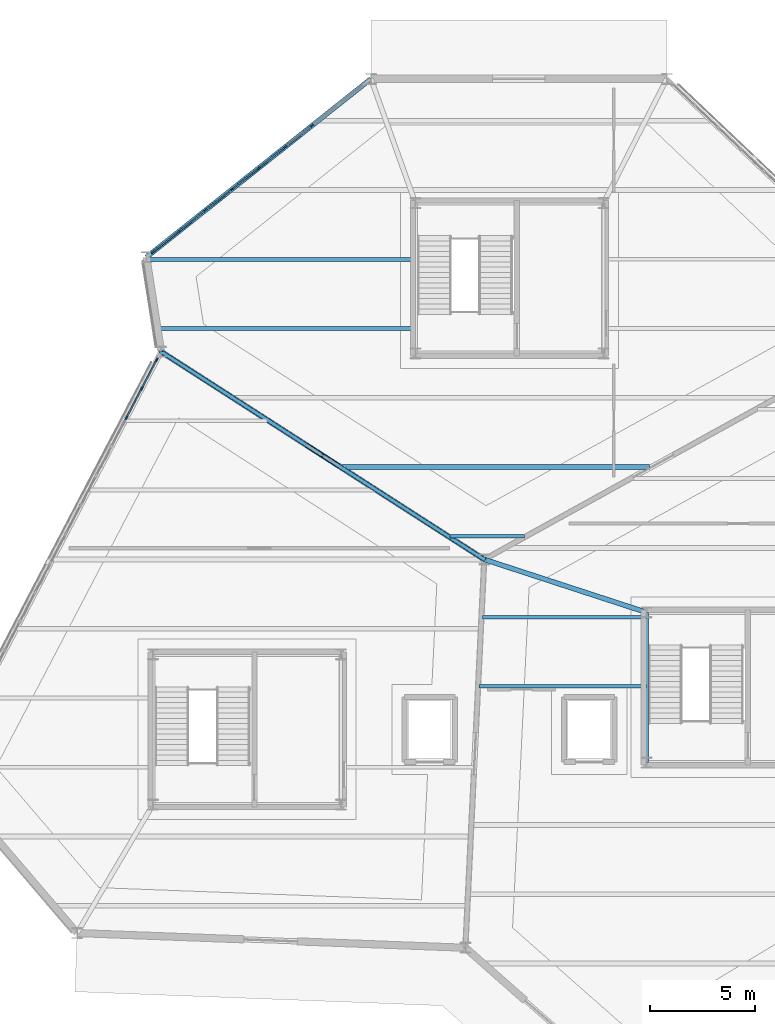
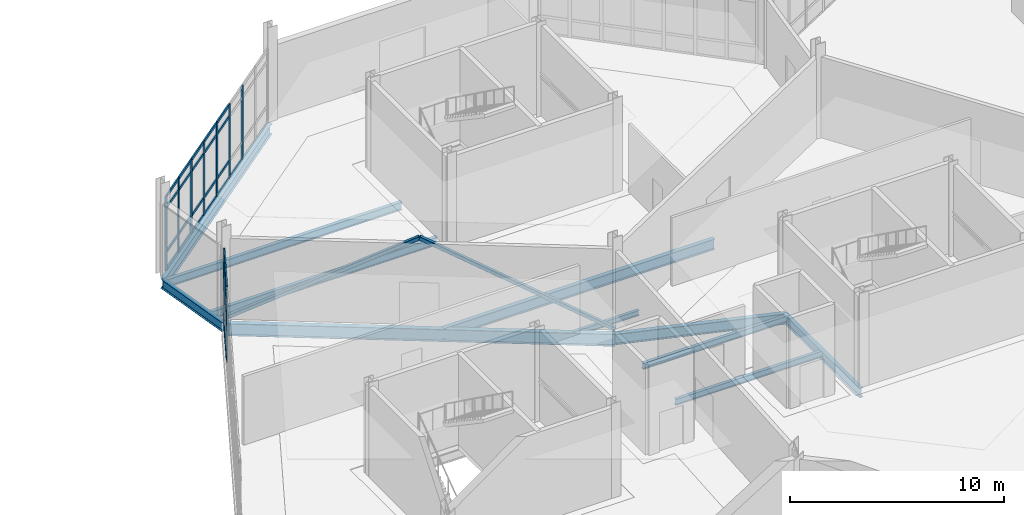
# One storey, part 51 of 113: 41 members, 11 beams, 2 elements without a shape of their own.
"""IFC4 building model written with IfcOpenShell, lengths in metres."""

from ifc_helpers import new_model, si_unit, direction, frame, origin, origin_2d, place, context, subcontext, project, spatial, rectangle, hollow_rectangle, i_section, extrude, material, material_profile, profile_set, type_object, element, aggregate, save


model = new_model("IFC4")

# Units and contexts
model_context = context("Model", 3, precision=1e-05, world=origin(), true_north=direction((0.0, 1.0)))
body_context = subcontext(model_context, "Body", "Model", "MODEL_VIEW")
ifc_project = project(units=[si_unit("LENGTHUNIT", "METRE"), si_unit("AREAUNIT", "SQUARE_METRE"), si_unit("VOLUMEUNIT", "CUBIC_METRE"), si_unit("PLANEANGLEUNIT", "RADIAN"), si_unit("MASSUNIT", "GRAM", prefix="KILO")], contexts=[model_context])

# Site, building, storey
site_placement = place(None, origin())
site = spatial("IfcSite", under=ifc_project, at=site_placement, CompositionType="ELEMENT")
building_placement = place(site_placement, origin())
building = spatial("IfcBuilding", under=site, at=building_placement, Name="Tameran Prism Museum", CompositionType="ELEMENT")
storey_placement = place(building_placement, origin())
storey = spatial("IfcBuildingStorey", under=building, at=storey_placement, Name="L00", CompositionType="ELEMENT", Elevation=0.0)

# Beams
ifc_material_1 = material(Name="Steel Grade 300PLUS (300 MPa)", Category="steel")
ifc_material_profile_1 = material_profile(ifc_material_1, i_section(OverallWidth=0.1650390625, OverallDepth=0.303955078125, WebThickness=0.006103515625, FlangeThickness=0.01025390625, FilletRadius=0.011474609375, at=origin_2d()))
ifc_profile_set_1 = profile_set([ifc_material_profile_1])
beam_type_1 = type_object("IfcBeamType", Name="BM-J310B", PredefinedType="JOIST", material=ifc_profile_set_1)
beam_1_placement = place(storey_placement, frame((117.1630859375, 90.199951171875, -0.39208984375), z_axis=(1.0, 0.0, 0.0), x_axis=(0.0, 1.0, 0.0)))
element("IfcBeam", 1, at=beam_1_placement, inside=storey, type_object=beam_type_1, Name="Floor Beam BM-0181", PredefinedType="JOIST", context=body_context, shape_type="SweptSolid", body=[
    extrude(i_section(OverallWidth=0.1650390625, OverallDepth=0.303955078125, WebThickness=0.006103515625, FlangeThickness=0.01025390625, FilletRadius=0.011474609375, at=origin_2d()), origin(), (0.0, 0.0, 1.0), 3.5439453125),
])
ifc_material_2 = material(Name="Steel Grade 300PLUS (300 MPa)", Category="steel")
ifc_material_profile_2 = material_profile(ifc_material_2, i_section(OverallWidth=0.172119140625, OverallDepth=0.35888671875, WebThickness=0.008056640625, FlangeThickness=0.012939453125, FilletRadius=0.011474609375, at=origin_2d()))
ifc_profile_set_2 = profile_set([ifc_material_profile_2])
beam_type_2 = type_object("IfcBeamType", Name="BM-J360A", PredefinedType="JOIST", material=ifc_profile_set_2)
beam_2_placement = place(storey_placement, frame((118.7060546875, 86.35009765625, -0.41943359375), z_axis=(1.0, 0.0, 0.0), x_axis=(0.0, 1.0, 0.0)))
element("IfcBeam", 2, at=beam_2_placement, inside=storey, type_object=beam_type_2, Name="Floor Beam BM-0176", PredefinedType="JOIST", context=body_context, shape_type="SweptSolid", body=[
    extrude(i_section(OverallWidth=0.172119140625, OverallDepth=0.35888671875, WebThickness=0.008056640625, FlangeThickness=0.012939453125, FilletRadius=0.011474609375, at=origin_2d()), origin(), (0.0, 0.0, 1.0), 7.81396484375),
])
ifc_material_3 = material(Name="Steel Grade 300PLUS (300 MPa)", Category="steel")
ifc_material_profile_3 = material_profile(ifc_material_3, i_section(OverallWidth=0.1708984375, OverallDepth=0.35595703125, WebThickness=0.00732421875, FlangeThickness=0.011474609375, FilletRadius=0.011474609375, at=origin_2d()))
ifc_profile_set_3 = profile_set([ifc_material_profile_3])
beam_type_3 = type_object("IfcBeamType", Name="BM-J360B", PredefinedType="JOIST", material=ifc_profile_set_3)
beam_3_placement = place(storey_placement, frame((118.5458984375, 83.050048828125, -0.41796875), z_axis=(1.0, 0.0, 0.0), x_axis=(0.0, 1.0, 0.0)))
element("IfcBeam", 3, at=beam_3_placement, inside=storey, type_object=beam_type_3, Name="Floor Beam BM-0174", PredefinedType="JOIST", context=body_context, shape_type="SweptSolid", body=[
    extrude(i_section(OverallWidth=0.1708984375, OverallDepth=0.35595703125, WebThickness=0.00732421875, FlangeThickness=0.011474609375, FilletRadius=0.011474609375, at=origin_2d()), origin(), (0.0, 0.0, 1.0), 7.97412109375),
])
ifc_material_4 = material(Name="Steel Grade 300PLUS (300 MPa)", Category="steel")
ifc_material_profile_4 = material_profile(ifc_material_4, i_section(OverallWidth=0.18994140625, OverallDepth=0.4541015625, WebThickness=0.008544921875, FlangeThickness=0.0126953125, FilletRadius=0.011474609375, at=origin_2d()))
ifc_profile_set_4 = profile_set([ifc_material_profile_4])
beam_type_4 = type_object("IfcBeamType", Name="BM-J460B", PredefinedType="JOIST", material=ifc_profile_set_4)
beam_4_placement = place(storey_placement, frame((103.26904296875, 100.10009765625, -0.467041015625), z_axis=(1.0, 0.0, 0.0), x_axis=(0.0, 1.0, 0.0)))
element("IfcBeam", 4, at=beam_4_placement, inside=storey, type_object=beam_type_4, Name="Floor Beam BM-0184", PredefinedType="JOIST", context=body_context, shape_type="SweptSolid", body=[
    extrude(i_section(OverallWidth=0.18994140625, OverallDepth=0.4541015625, WebThickness=0.008544921875, FlangeThickness=0.0126953125, FilletRadius=0.011474609375, at=origin_2d()), origin(), (0.0, 0.0, 1.0), 12.2509765625),
])
beam_5_placement = place(storey_placement, frame((102.756103515625, 103.39990234375, -0.467041015625), z_axis=(1.0, 0.0, 0.0), x_axis=(0.0, 1.0, 0.0)))
element("IfcBeam", 5, at=beam_5_placement, inside=storey, type_object=beam_type_4, Name="Floor Beam BM-0186", PredefinedType="JOIST", context=body_context, shape_type="SweptSolid", body=[
    extrude(i_section(OverallWidth=0.18994140625, OverallDepth=0.4541015625, WebThickness=0.008544921875, FlangeThickness=0.0126953125, FilletRadius=0.011474609375, at=origin_2d()), origin(), (0.0, 0.0, 1.0), 12.763916015625),
])
ifc_material_5 = material(Name="Steel Grade 300PLUS (300 MPa)", Category="steel")
ifc_material_profile_5 = material_profile(ifc_material_5, i_section(OverallWidth=0.208984375, OverallDepth=0.528076171875, WebThickness=0.009521484375, FlangeThickness=0.01318359375, FilletRadius=0.013916015625, at=origin_2d()))
ifc_profile_set_5 = profile_set([ifc_material_profile_5])
beam_type_5 = type_object("IfcBeamType", Name="BM-SP530B", PredefinedType="SPANDREL", material=ifc_profile_set_5)
beam_6_placement = place(storey_placement, frame((102.699951171875, 103.5, -0.50390625), z_axis=(0.153696537817, -0.988118097326, 0.0), x_axis=(0.988118097326, 0.153696537817, 0.0)))
element("IfcBeam", 6, at=beam_6_placement, inside=storey, type_object=beam_type_5, Name="Perimeter Spandrel SP-0015", PredefinedType="SPANDREL", context=body_context, shape_type="SweptSolid", body=[
    extrude(i_section(OverallWidth=0.208984375, OverallDepth=0.528076171875, WebThickness=0.009521484375, FlangeThickness=0.01318359375, FilletRadius=0.013916015625, at=origin_2d()), origin(), (0.0, 0.0, 1.0), 4.55419921875),
])
beam_7_placement = place(storey_placement, frame((126.52001953125, 86.580078125, -0.50390625), z_axis=(0.0, -1.0, 0.0), x_axis=(1.0, 0.0, 0.0)))
element("IfcBeam", 7, at=beam_7_placement, inside=storey, type_object=beam_type_5, Name="Core Ring Beam CTB-0109", PredefinedType="SPANDREL", context=body_context, shape_type="SweptSolid", body=[
    extrude(i_section(OverallWidth=0.208984375, OverallDepth=0.528076171875, WebThickness=0.009521484375, FlangeThickness=0.01318359375, FilletRadius=0.013916015625, at=origin_2d()), origin(), (0.0, 0.0, 1.0), 7.16015625),
])
ifc_material_6 = material(Name="Steel Grade 300PLUS (300 MPa)", Category="steel")
ifc_material_profile_6 = material_profile(ifc_material_6, i_section(OverallWidth=0.22802734375, OverallDepth=0.60205078125, WebThickness=0.010498046875, FlangeThickness=0.014892578125, FilletRadius=0.013916015625, at=origin_2d()))
ifc_profile_set_6 = profile_set([ifc_material_profile_6])
beam_type_6 = type_object("IfcBeamType", Name="BM-SP610", PredefinedType="SPANDREL", material=ifc_profile_set_6)
beam_8_placement = place(storey_placement, frame((113.39990234375, 112.0, -0.541015625), z_axis=(-0.783004636427, -0.62201586743, 0.0), x_axis=(0.62201586743, -0.783004636427, 0.0)))
element("IfcBeam", 8, at=beam_8_placement, inside=storey, type_object=beam_type_6, Name="Perimeter Spandrel SP-0014", PredefinedType="SPANDREL", context=body_context, shape_type="SweptSolid", body=[
    extrude(i_section(OverallWidth=0.22802734375, OverallDepth=0.60205078125, WebThickness=0.010498046875, FlangeThickness=0.014892578125, FilletRadius=0.013916015625, at=origin_2d()), origin(), (0.0, 0.0, 1.0), 13.665283203125),
])
ifc_material_7 = material(Name="Steel Grade 350 (350 MPa)", Category="steel")
ifc_material_profile_7 = material_profile(ifc_material_7, i_section(OverallWidth=0.25, OverallDepth=0.699951171875, WebThickness=0.010009765625, FlangeThickness=0.02001953125, at=origin_2d()))
ifc_profile_set_7 = profile_set([ifc_material_profile_7])
beam_type_7 = type_object("IfcBeamType", Name="BM-SP700", PredefinedType="SPANDREL", material=ifc_profile_set_7)
beam_9_placement = place(storey_placement, frame((118.800048828125, 89.10009765625, -0.590087890625), z_axis=(-0.841183241423, 0.540750177392, 0.0), x_axis=(-0.540750177392, -0.841183241423, 0.0)))
element("IfcBeam", 9, at=beam_9_placement, inside=storey, type_object=beam_type_7, Name="Perimeter Spandrel SP-0003", PredefinedType="SPANDREL", context=body_context, shape_type="SweptSolid", body=[
    extrude(i_section(OverallWidth=0.25, OverallDepth=0.699951171875, WebThickness=0.010009765625, FlangeThickness=0.02001953125, at=origin_2d()), origin(), (0.0, 0.0, 1.0), 18.3076171875),
])
ifc_material_8 = material(Name="Steel Grade 300PLUS (300 MPa)", Category="steel")
ifc_material_profile_8 = material_profile(ifc_material_8, i_section(OverallWidth=0.22900390625, OverallDepth=0.612060546875, WebThickness=0.011962890625, FlangeThickness=0.01953125, FilletRadius=0.013916015625, at=origin_2d()))
ifc_profile_set_8 = profile_set([ifc_material_profile_8])
beam_type_8 = type_object("IfcBeamType", Name="BM-UB610A", PredefinedType="BEAM", material=ifc_profile_set_8)
beam_10_placement = place(storey_placement, frame((126.52001953125, 86.580078125, -0.56005859375), z_axis=(-0.950634056225, 0.310314181346, 0.0), x_axis=(-0.310314181346, -0.950634056225, 0.0)))
element("IfcBeam", 10, at=beam_10_placement, inside=storey, type_object=beam_type_8, Name="Frame Tie Girder FG-1393", PredefinedType="BEAM", context=body_context, shape_type="SweptSolid", body=[
    extrude(i_section(OverallWidth=0.22900390625, OverallDepth=0.612060546875, WebThickness=0.011962890625, FlangeThickness=0.01953125, FilletRadius=0.013916015625, at=origin_2d()), origin(), (0.0, 0.0, 1.0), 8.120849609375),
])
ifc_material_9 = material(Name="Steel Grade 300PLUS (300 MPa)", Category="steel")
ifc_material_profile_9 = material_profile(ifc_material_9, i_section(OverallWidth=0.22802734375, OverallDepth=0.60693359375, WebThickness=0.01123046875, FlangeThickness=0.017333984375, FilletRadius=0.013916015625, at=origin_2d()))
ifc_profile_set_9 = profile_set([ifc_material_profile_9])
beam_type_9 = type_object("IfcBeamType", Name="BM-UB610B", PredefinedType="BEAM", material=ifc_profile_set_9)
beam_11_placement = place(storey_placement, frame((112.030029296875, 93.5, -0.54345703125), z_axis=(1.0, 0.0, 0.0), x_axis=(0.0, 1.0, 0.0)))
element("IfcBeam", 11, at=beam_11_placement, inside=storey, type_object=beam_type_9, Name="Floor Beam BM-0182", PredefinedType="BEAM", context=body_context, shape_type="SweptSolid", body=[
    extrude(i_section(OverallWidth=0.22802734375, OverallDepth=0.60693359375, WebThickness=0.01123046875, FlangeThickness=0.017333984375, FilletRadius=0.013916015625, at=origin_2d()), origin(), (0.0, 0.0, 1.0), 14.64697265625),
])

# Curtain wall, members
ifc_material_10 = material(Name="Anodised Aluminium 6063-T6 and Cyclone Solar Glass", Category="aluminium")
curtain_wall_type_1 = type_object("IfcCurtainWallType", Name="CW-FAC-1296x422", PredefinedType="USERDEFINED", material=ifc_material_10)
curtain_wall_1_placement = place(storey_placement, origin())
curtain_wall_1 = element("IfcCurtainWall", 12, at=curtain_wall_1_placement, inside=storey, type_object=curtain_wall_type_1, Name="Unitised Curtain Wall CW-024", ObjectType="UNITISED CURTAIN WALL", PredefinedType="USERDEFINED")
ifc_material_11 = material(Name="Anodised Aluminium Alloy 6063-T6", Category="aluminium")
ifc_material_profile_10 = material_profile(ifc_material_11, rectangle(XDim=0.070068359375, YDim=0.179931640625, at=origin_2d()))
ifc_profile_set_10 = profile_set([ifc_material_profile_10])
member_type_1 = type_object("IfcMemberType", Name="CW-MUL-B", PredefinedType="MULLION", material=ifc_profile_set_10)
member_1_placement = place(storey_placement, frame((103.00146484375, 103.73974609375, 0.0), z_axis=(0.0, 0.0, 1.0), x_axis=(-0.621982306183, 0.783031296178, 0.0)))
member_1 = element("IfcMember", 13, at=member_1_placement, type_object=member_type_1, Name="CW-024 mullion 1", PredefinedType="MULLION", context=body_context, shape_type="SweptSolid", body=[
    extrude(rectangle(XDim=0.070068359375, YDim=0.179931640625, at=origin_2d()), origin(), (0.0, 0.0, 1.0), 4.219970703125),
])
member_2_placement = place(storey_placement, frame((104.242919921875, 104.72607421875, 0.0), z_axis=(0.0, 0.0, 1.0), x_axis=(-0.621982306183, 0.783031296178, 0.0)))
member_2 = element("IfcMember", 14, at=member_2_placement, type_object=member_type_1, Name="CW-024 mullion 2", PredefinedType="MULLION", context=body_context, shape_type="SweptSolid", body=[
    extrude(rectangle(XDim=0.070068359375, YDim=0.179931640625, at=origin_2d()), origin(), (0.0, 0.0, 1.0), 4.219970703125),
])
member_3_placement = place(storey_placement, frame((105.511962890625, 105.73388671875, 0.0), z_axis=(0.0, 0.0, 1.0), x_axis=(-0.621982306183, 0.783031296178, 0.0)))
member_3 = element("IfcMember", 15, at=member_3_placement, type_object=member_type_1, Name="CW-024 mullion 3", PredefinedType="MULLION", context=body_context, shape_type="SweptSolid", body=[
    extrude(rectangle(XDim=0.070068359375, YDim=0.179931640625, at=origin_2d()), origin(), (0.0, 0.0, 1.0), 4.219970703125),
])
member_4_placement = place(storey_placement, frame((106.781005859375, 106.741943359375, 0.0), z_axis=(0.0, 0.0, 1.0), x_axis=(-0.621982306183, 0.783031296178, 0.0)))
member_4 = element("IfcMember", 16, at=member_4_placement, type_object=member_type_1, Name="CW-024 mullion 4", PredefinedType="MULLION", context=body_context, shape_type="SweptSolid", body=[
    extrude(rectangle(XDim=0.070068359375, YDim=0.179931640625, at=origin_2d()), origin(), (0.0, 0.0, 1.0), 4.219970703125),
])
member_5_placement = place(storey_placement, frame((108.050048828125, 107.75, 0.0), z_axis=(0.0, 0.0, 1.0), x_axis=(-0.621982306183, 0.783031296178, 0.0)))
member_5 = element("IfcMember", 17, at=member_5_placement, type_object=member_type_1, Name="CW-024 mullion 5", PredefinedType="MULLION", context=body_context, shape_type="SweptSolid", body=[
    extrude(rectangle(XDim=0.070068359375, YDim=0.179931640625, at=origin_2d()), origin(), (0.0, 0.0, 1.0), 4.219970703125),
])
member_6_placement = place(storey_placement, frame((109.319091796875, 108.758056640625, 0.0), z_axis=(0.0, 0.0, 1.0), x_axis=(-0.621982306183, 0.783031296178, 0.0)))
member_6 = element("IfcMember", 18, at=member_6_placement, type_object=member_type_1, Name="CW-024 mullion 6", PredefinedType="MULLION", context=body_context, shape_type="SweptSolid", body=[
    extrude(rectangle(XDim=0.070068359375, YDim=0.179931640625, at=origin_2d()), origin(), (0.0, 0.0, 1.0), 4.219970703125),
])
member_7_placement = place(storey_placement, frame((110.587890625, 109.76611328125, 0.0), z_axis=(0.0, 0.0, 1.0), x_axis=(-0.621982306183, 0.783031296178, 0.0)))
member_7 = element("IfcMember", 19, at=member_7_placement, type_object=member_type_1, Name="CW-024 mullion 7", PredefinedType="MULLION", context=body_context, shape_type="SweptSolid", body=[
    extrude(rectangle(XDim=0.070068359375, YDim=0.179931640625, at=origin_2d()), origin(), (0.0, 0.0, 1.0), 4.219970703125),
])

ifc_material_12 = material(Name="Anodised Aluminium 6063-T6 and Cyclone Solar Glass", Category="aluminium")
curtain_wall_type_2 = type_object("IfcCurtainWallType", Name="CW-FAC-2192x422", PredefinedType="USERDEFINED", material=ifc_material_12)
curtain_wall_2_placement = place(storey_placement, origin())
curtain_wall_2 = element("IfcCurtainWall", 20, at=curtain_wall_2_placement, inside=storey, type_object=curtain_wall_type_2, Name="Unitised Curtain Wall CW-021", ObjectType="UNITISED CURTAIN WALL", PredefinedType="USERDEFINED")
ifc_material_13 = material(Name="Anodised Aluminium Alloy 6063-T6", Category="aluminium")
ifc_material_profile_11 = material_profile(ifc_material_13, rectangle(XDim=0.074951171875, YDim=0.199951171875, at=origin_2d()))
ifc_profile_set_11 = profile_set([ifc_material_profile_11])
member_type_2 = type_object("IfcMemberType", Name="CW-MUL-C", PredefinedType="MULLION", material=ifc_profile_set_11)
member_8_placement = place(storey_placement, frame((101.76025390625, 95.86181640625, 0.0), z_axis=(0.0, 0.0, 1.0), x_axis=(-0.886356952612, 0.463002540551, 0.0)))
member_8 = element("IfcMember", 21, at=member_8_placement, type_object=member_type_2, Name="CW-021 mullion 13", PredefinedType="MULLION", context=body_context, shape_type="SweptSolid", body=[
    extrude(rectangle(XDim=0.074951171875, YDim=0.199951171875, at=origin_2d()), origin(), (0.0, 0.0, 1.0), 4.219970703125),
])
member_9_placement = place(storey_placement, frame((102.485107421875, 97.249267578125, 0.0), z_axis=(0.0, 0.0, 1.0), x_axis=(-0.886356952612, 0.463002540551, 0.0)))
member_9 = element("IfcMember", 22, at=member_9_placement, type_object=member_type_2, Name="CW-021 mullion 14", PredefinedType="MULLION", context=body_context, shape_type="SweptSolid", body=[
    extrude(rectangle(XDim=0.074951171875, YDim=0.199951171875, at=origin_2d()), origin(), (0.0, 0.0, 1.0), 4.219970703125),
])
member_10_placement = place(storey_placement, frame((103.192626953125, 98.603759765625, 0.0), z_axis=(0.0, 0.0, 1.0), x_axis=(-0.886356952612, 0.463002540551, 0.0)))
member_10 = element("IfcMember", 23, at=member_10_placement, type_object=member_type_2, Name="CW-021 mullion 15", PredefinedType="MULLION", context=body_context, shape_type="SweptSolid", body=[
    extrude(rectangle(XDim=0.074951171875, YDim=0.199951171875, at=origin_2d()), origin(), (0.0, 0.0, 1.0), 4.219970703125),
])

# Member
ifc_material_14 = material(Name="Anodised Aluminium Alloy 6063-T6", Category="aluminium")
ifc_material_profile_12 = material_profile(ifc_material_14, rectangle(XDim=0.070068359375, YDim=0.155029296875, at=origin_2d()))
ifc_profile_set_12 = profile_set([ifc_material_profile_12])
member_type_3 = type_object("IfcMemberType", Name="CW-TRN-B", PredefinedType="USERDEFINED", material=ifc_profile_set_12)
member_11_placement = place(storey_placement, frame((103.02880859375, 103.761474609375, 0.034912109375), z_axis=(0.782970092549, 0.622059349398, 0.0), x_axis=(-0.622059349398, 0.782970092549, 0.0)))
member_11 = element("IfcMember", 24, at=member_11_placement, type_object=member_type_3, Name="CW-024 transom 1.1", ObjectType="TRANSOM", PredefinedType="USERDEFINED", context=body_context, shape_type="SweptSolid", body=[
    extrude(rectangle(XDim=0.070068359375, YDim=0.155029296875, at=origin_2d()), origin(), (0.0, 0.0, 1.0), 1.515625),
])

member_12_placement = place(storey_placement, frame((103.02880859375, 103.761474609375, 1.0), z_axis=(0.782970092549, 0.622059349398, 0.0), x_axis=(-0.622059349398, 0.782970092549, 0.0)))
member_12 = element("IfcMember", 25, at=member_12_placement, type_object=member_type_3, Name="CW-024 transom 1.2", ObjectType="TRANSOM", PredefinedType="USERDEFINED", context=body_context, shape_type="SweptSolid", body=[
    extrude(rectangle(XDim=0.070068359375, YDim=0.155029296875, at=origin_2d()), origin(), (0.0, 0.0, 1.0), 1.515625),
])

member_13_placement = place(storey_placement, frame((103.02880859375, 103.761474609375, 3.5400390625), z_axis=(0.782970092549, 0.622059349398, 0.0), x_axis=(-0.622059349398, 0.782970092549, 0.0)))
member_13 = element("IfcMember", 26, at=member_13_placement, type_object=member_type_3, Name="CW-024 transom 1.3", ObjectType="TRANSOM", PredefinedType="USERDEFINED", context=body_context, shape_type="SweptSolid", body=[
    extrude(rectangle(XDim=0.070068359375, YDim=0.155029296875, at=origin_2d()), origin(), (0.0, 0.0, 1.0), 1.515625),
])

member_14_placement = place(storey_placement, frame((103.02880859375, 103.761474609375, 4.18505859375), z_axis=(0.782970092549, 0.622059349398, 0.0), x_axis=(-0.622059349398, 0.782970092549, 0.0)))
member_14 = element("IfcMember", 27, at=member_14_placement, type_object=member_type_3, Name="CW-024 transom 1.4", ObjectType="TRANSOM", PredefinedType="USERDEFINED", context=body_context, shape_type="SweptSolid", body=[
    extrude(rectangle(XDim=0.070068359375, YDim=0.155029296875, at=origin_2d()), origin(), (0.0, 0.0, 1.0), 1.515625),
])

member_15_placement = place(storey_placement, frame((104.2705078125, 104.747802734375, 0.034912109375), z_axis=(0.783045436968, 0.621964503524, 0.0), x_axis=(-0.621964503524, 0.783045436968, 0.0)))
member_15 = element("IfcMember", 28, at=member_15_placement, type_object=member_type_3, Name="CW-024 transom 2.1", ObjectType="TRANSOM", PredefinedType="USERDEFINED", context=body_context, shape_type="SweptSolid", body=[
    extrude(rectangle(XDim=0.070068359375, YDim=0.155029296875, at=origin_2d()), origin(), (0.0, 0.0, 1.0), 1.550537109375),
])

member_16_placement = place(storey_placement, frame((104.2705078125, 104.747802734375, 1.0), z_axis=(0.783045436968, 0.621964503524, 0.0), x_axis=(-0.621964503524, 0.783045436968, 0.0)))
member_16 = element("IfcMember", 29, at=member_16_placement, type_object=member_type_3, Name="CW-024 transom 2.2", ObjectType="TRANSOM", PredefinedType="USERDEFINED", context=body_context, shape_type="SweptSolid", body=[
    extrude(rectangle(XDim=0.070068359375, YDim=0.155029296875, at=origin_2d()), origin(), (0.0, 0.0, 1.0), 1.550537109375),
])

member_17_placement = place(storey_placement, frame((104.2705078125, 104.747802734375, 3.5400390625), z_axis=(0.783045436968, 0.621964503524, 0.0), x_axis=(-0.621964503524, 0.783045436968, 0.0)))
member_17 = element("IfcMember", 30, at=member_17_placement, type_object=member_type_3, Name="CW-024 transom 2.3", ObjectType="TRANSOM", PredefinedType="USERDEFINED", context=body_context, shape_type="SweptSolid", body=[
    extrude(rectangle(XDim=0.070068359375, YDim=0.155029296875, at=origin_2d()), origin(), (0.0, 0.0, 1.0), 1.550537109375),
])

member_18_placement = place(storey_placement, frame((104.2705078125, 104.747802734375, 4.18505859375), z_axis=(0.783045436968, 0.621964503524, 0.0), x_axis=(-0.621964503524, 0.783045436968, 0.0)))
member_18 = element("IfcMember", 31, at=member_18_placement, type_object=member_type_3, Name="CW-024 transom 2.4", ObjectType="TRANSOM", PredefinedType="USERDEFINED", context=body_context, shape_type="SweptSolid", body=[
    extrude(rectangle(XDim=0.070068359375, YDim=0.155029296875, at=origin_2d()), origin(), (0.0, 0.0, 1.0), 1.550537109375),
])

member_19_placement = place(storey_placement, frame((105.539306640625, 105.755859375, 0.034912109375), z_axis=(0.783106337261, 0.621887823117, 0.0), x_axis=(-0.621887823117, 0.783106337261, 0.0)))
member_19 = element("IfcMember", 32, at=member_19_placement, type_object=member_type_3, Name="CW-024 transom 3.1", ObjectType="TRANSOM", PredefinedType="USERDEFINED", context=body_context, shape_type="SweptSolid", body=[
    extrude(rectangle(XDim=0.070068359375, YDim=0.155029296875, at=origin_2d()), origin(), (0.0, 0.0, 1.0), 1.55078125),
])

member_20_placement = place(storey_placement, frame((105.539306640625, 105.755859375, 1.0), z_axis=(0.783106337261, 0.621887823117, 0.0), x_axis=(-0.621887823117, 0.783106337261, 0.0)))
member_20 = element("IfcMember", 33, at=member_20_placement, type_object=member_type_3, Name="CW-024 transom 3.2", ObjectType="TRANSOM", PredefinedType="USERDEFINED", context=body_context, shape_type="SweptSolid", body=[
    extrude(rectangle(XDim=0.070068359375, YDim=0.155029296875, at=origin_2d()), origin(), (0.0, 0.0, 1.0), 1.55078125),
])

member_21_placement = place(storey_placement, frame((105.539306640625, 105.755859375, 3.5400390625), z_axis=(0.783106337261, 0.621887823117, 0.0), x_axis=(-0.621887823117, 0.783106337261, 0.0)))
member_21 = element("IfcMember", 34, at=member_21_placement, type_object=member_type_3, Name="CW-024 transom 3.3", ObjectType="TRANSOM", PredefinedType="USERDEFINED", context=body_context, shape_type="SweptSolid", body=[
    extrude(rectangle(XDim=0.070068359375, YDim=0.155029296875, at=origin_2d()), origin(), (0.0, 0.0, 1.0), 1.55078125),
])

member_22_placement = place(storey_placement, frame((105.539306640625, 105.755859375, 4.18505859375), z_axis=(0.783106337261, 0.621887823117, 0.0), x_axis=(-0.621887823117, 0.783106337261, 0.0)))
member_22 = element("IfcMember", 35, at=member_22_placement, type_object=member_type_3, Name="CW-024 transom 3.4", ObjectType="TRANSOM", PredefinedType="USERDEFINED", context=body_context, shape_type="SweptSolid", body=[
    extrude(rectangle(XDim=0.070068359375, YDim=0.155029296875, at=origin_2d()), origin(), (0.0, 0.0, 1.0), 1.55078125),
])

member_23_placement = place(storey_placement, frame((106.808349609375, 106.763671875, 0.034912109375), z_axis=(0.783029664883, 0.621984359862, 0.0), x_axis=(-0.621984359862, 0.783029664883, 0.0)))
member_23 = element("IfcMember", 36, at=member_23_placement, type_object=member_type_3, Name="CW-024 transom 4.1", ObjectType="TRANSOM", PredefinedType="USERDEFINED", context=body_context, shape_type="SweptSolid", body=[
    extrude(rectangle(XDim=0.070068359375, YDim=0.155029296875, at=origin_2d()), origin(), (0.0, 0.0, 1.0), 1.55078125),
])

member_24_placement = place(storey_placement, frame((106.808349609375, 106.763671875, 1.0), z_axis=(0.783029664883, 0.621984359862, 0.0), x_axis=(-0.621984359862, 0.783029664883, 0.0)))
member_24 = element("IfcMember", 37, at=member_24_placement, type_object=member_type_3, Name="CW-024 transom 4.2", ObjectType="TRANSOM", PredefinedType="USERDEFINED", context=body_context, shape_type="SweptSolid", body=[
    extrude(rectangle(XDim=0.070068359375, YDim=0.155029296875, at=origin_2d()), origin(), (0.0, 0.0, 1.0), 1.55078125),
])

member_25_placement = place(storey_placement, frame((106.808349609375, 106.763671875, 3.5400390625), z_axis=(0.783029664883, 0.621984359862, 0.0), x_axis=(-0.621984359862, 0.783029664883, 0.0)))
member_25 = element("IfcMember", 38, at=member_25_placement, type_object=member_type_3, Name="CW-024 transom 4.3", ObjectType="TRANSOM", PredefinedType="USERDEFINED", context=body_context, shape_type="SweptSolid", body=[
    extrude(rectangle(XDim=0.070068359375, YDim=0.155029296875, at=origin_2d()), origin(), (0.0, 0.0, 1.0), 1.55078125),
])

member_26_placement = place(storey_placement, frame((106.808349609375, 106.763671875, 4.18505859375), z_axis=(0.783029664883, 0.621984359862, 0.0), x_axis=(-0.621984359862, 0.783029664883, 0.0)))
member_26 = element("IfcMember", 39, at=member_26_placement, type_object=member_type_3, Name="CW-024 transom 4.4", ObjectType="TRANSOM", PredefinedType="USERDEFINED", context=body_context, shape_type="SweptSolid", body=[
    extrude(rectangle(XDim=0.070068359375, YDim=0.155029296875, at=origin_2d()), origin(), (0.0, 0.0, 1.0), 1.55078125),
])

member_27_placement = place(storey_placement, frame((108.077392578125, 107.771728515625, 0.034912109375), z_axis=(0.782968751648, 0.622061037153, 0.0), x_axis=(-0.622061037153, 0.782968751648, 0.0)))
member_27 = element("IfcMember", 40, at=member_27_placement, type_object=member_type_3, Name="CW-024 transom 5.1", ObjectType="TRANSOM", PredefinedType="USERDEFINED", context=body_context, shape_type="SweptSolid", body=[
    extrude(rectangle(XDim=0.070068359375, YDim=0.155029296875, at=origin_2d()), origin(), (0.0, 0.0, 1.0), 1.550537109375),
])

member_28_placement = place(storey_placement, frame((108.077392578125, 107.771728515625, 1.0), z_axis=(0.782968751648, 0.622061037153, 0.0), x_axis=(-0.622061037153, 0.782968751648, 0.0)))
member_28 = element("IfcMember", 41, at=member_28_placement, type_object=member_type_3, Name="CW-024 transom 5.2", ObjectType="TRANSOM", PredefinedType="USERDEFINED", context=body_context, shape_type="SweptSolid", body=[
    extrude(rectangle(XDim=0.070068359375, YDim=0.155029296875, at=origin_2d()), origin(), (0.0, 0.0, 1.0), 1.550537109375),
])

member_29_placement = place(storey_placement, frame((108.077392578125, 107.771728515625, 3.5400390625), z_axis=(0.782968751648, 0.622061037153, 0.0), x_axis=(-0.622061037153, 0.782968751648, 0.0)))
member_29 = element("IfcMember", 42, at=member_29_placement, type_object=member_type_3, Name="CW-024 transom 5.3", ObjectType="TRANSOM", PredefinedType="USERDEFINED", context=body_context, shape_type="SweptSolid", body=[
    extrude(rectangle(XDim=0.070068359375, YDim=0.155029296875, at=origin_2d()), origin(), (0.0, 0.0, 1.0), 1.550537109375),
])

member_30_placement = place(storey_placement, frame((108.077392578125, 107.771728515625, 4.18505859375), z_axis=(0.782968751648, 0.622061037153, 0.0), x_axis=(-0.622061037153, 0.782968751648, 0.0)))
member_30 = element("IfcMember", 43, at=member_30_placement, type_object=member_type_3, Name="CW-024 transom 5.4", ObjectType="TRANSOM", PredefinedType="USERDEFINED", context=body_context, shape_type="SweptSolid", body=[
    extrude(rectangle(XDim=0.070068359375, YDim=0.155029296875, at=origin_2d()), origin(), (0.0, 0.0, 1.0), 1.550537109375),
])

member_31_placement = place(storey_placement, frame((109.346435546875, 108.77978515625, 0.034912109375), z_axis=(0.783045436968, 0.621964503524, 0.0), x_axis=(-0.621964503524, 0.783045436968, 0.0)))
member_31 = element("IfcMember", 44, at=member_31_placement, type_object=member_type_3, Name="CW-024 transom 6.1", ObjectType="TRANSOM", PredefinedType="USERDEFINED", context=body_context, shape_type="SweptSolid", body=[
    extrude(rectangle(XDim=0.070068359375, YDim=0.155029296875, at=origin_2d()), origin(), (0.0, 0.0, 1.0), 1.550537109375),
])

aggregate(curtain_wall_1, [member_1, member_2, member_3, member_4, member_5, member_6, member_7, member_11, member_12, member_13, member_14, member_15, member_16, member_17, member_18, member_19, member_20, member_21, member_22, member_23, member_24, member_25, member_26, member_27, member_28, member_29, member_30, member_31])

ifc_material_15 = material(Name="Anodised Aluminium Alloy 6063-T6", Category="aluminium")
ifc_material_profile_13 = material_profile(ifc_material_15, rectangle(XDim=0.074951171875, YDim=0.175048828125, at=origin_2d()))
ifc_profile_set_13 = profile_set([ifc_material_profile_13])
member_type_4 = type_object("IfcMemberType", Name="CW-TRN-C", PredefinedType="USERDEFINED", material=ifc_profile_set_13)
member_32_placement = place(storey_placement, frame((101.777587890625, 95.89501953125, 0.03759765625), z_axis=(0.463064150185, 0.886324767122, 0.0), x_axis=(-0.886324767122, 0.463064150185, 0.0)))
member_32 = element("IfcMember", 45, at=member_32_placement, type_object=member_type_4, Name="CW-021 transom 13.1", ObjectType="TRANSOM", PredefinedType="USERDEFINED", context=body_context, shape_type="SweptSolid", body=[
    extrude(rectangle(XDim=0.074951171875, YDim=0.175048828125, at=origin_2d()), origin(), (0.0, 0.0, 1.0), 1.490478515625),
])

member_33_placement = place(storey_placement, frame((101.777587890625, 95.89501953125, 1.0), z_axis=(0.463064150185, 0.886324767122, 0.0), x_axis=(-0.886324767122, 0.463064150185, 0.0)))
member_33 = element("IfcMember", 46, at=member_33_placement, type_object=member_type_4, Name="CW-021 transom 13.2", ObjectType="TRANSOM", PredefinedType="USERDEFINED", context=body_context, shape_type="SweptSolid", body=[
    extrude(rectangle(XDim=0.074951171875, YDim=0.175048828125, at=origin_2d()), origin(), (0.0, 0.0, 1.0), 1.490478515625),
])

member_34_placement = place(storey_placement, frame((101.777587890625, 95.89501953125, 3.5400390625), z_axis=(0.463064150185, 0.886324767122, 0.0), x_axis=(-0.886324767122, 0.463064150185, 0.0)))
member_34 = element("IfcMember", 47, at=member_34_placement, type_object=member_type_4, Name="CW-021 transom 13.3", ObjectType="TRANSOM", PredefinedType="USERDEFINED", context=body_context, shape_type="SweptSolid", body=[
    extrude(rectangle(XDim=0.074951171875, YDim=0.175048828125, at=origin_2d()), origin(), (0.0, 0.0, 1.0), 1.490478515625),
])

member_35_placement = place(storey_placement, frame((101.777587890625, 95.89501953125, 4.1826171875), z_axis=(0.463064150185, 0.886324767122, 0.0), x_axis=(-0.886324767122, 0.463064150185, 0.0)))
member_35 = element("IfcMember", 48, at=member_35_placement, type_object=member_type_4, Name="CW-021 transom 13.4", ObjectType="TRANSOM", PredefinedType="USERDEFINED", context=body_context, shape_type="SweptSolid", body=[
    extrude(rectangle(XDim=0.074951171875, YDim=0.175048828125, at=origin_2d()), origin(), (0.0, 0.0, 1.0), 1.490478515625),
])

member_36_placement = place(storey_placement, frame((102.50244140625, 97.28271484375, 0.03759765625), z_axis=(0.463071248723, 0.886321058424, 0.0), x_axis=(-0.886321058424, 0.463071248723, 0.0)))
member_36 = element("IfcMember", 49, at=member_36_placement, type_object=member_type_4, Name="CW-021 transom 14.1", ObjectType="TRANSOM", PredefinedType="USERDEFINED", context=body_context, shape_type="SweptSolid", body=[
    extrude(rectangle(XDim=0.074951171875, YDim=0.175048828125, at=origin_2d()), origin(), (0.0, 0.0, 1.0), 1.453125),
])

member_37_placement = place(storey_placement, frame((102.50244140625, 97.28271484375, 1.0), z_axis=(0.463071248723, 0.886321058424, 0.0), x_axis=(-0.886321058424, 0.463071248723, 0.0)))
member_37 = element("IfcMember", 50, at=member_37_placement, type_object=member_type_4, Name="CW-021 transom 14.2", ObjectType="TRANSOM", PredefinedType="USERDEFINED", context=body_context, shape_type="SweptSolid", body=[
    extrude(rectangle(XDim=0.074951171875, YDim=0.175048828125, at=origin_2d()), origin(), (0.0, 0.0, 1.0), 1.453125),
])

member_38_placement = place(storey_placement, frame((102.50244140625, 97.28271484375, 3.5400390625), z_axis=(0.463071248723, 0.886321058424, 0.0), x_axis=(-0.886321058424, 0.463071248723, 0.0)))
member_38 = element("IfcMember", 51, at=member_38_placement, type_object=member_type_4, Name="CW-021 transom 14.3", ObjectType="TRANSOM", PredefinedType="USERDEFINED", context=body_context, shape_type="SweptSolid", body=[
    extrude(rectangle(XDim=0.074951171875, YDim=0.175048828125, at=origin_2d()), origin(), (0.0, 0.0, 1.0), 1.453125),
])

member_39_placement = place(storey_placement, frame((102.50244140625, 97.28271484375, 4.1826171875), z_axis=(0.463071248723, 0.886321058424, 0.0), x_axis=(-0.886321058424, 0.463071248723, 0.0)))
member_39 = element("IfcMember", 52, at=member_39_placement, type_object=member_type_4, Name="CW-021 transom 14.4", ObjectType="TRANSOM", PredefinedType="USERDEFINED", context=body_context, shape_type="SweptSolid", body=[
    extrude(rectangle(XDim=0.074951171875, YDim=0.175048828125, at=origin_2d()), origin(), (0.0, 0.0, 1.0), 1.453125),
])

aggregate(curtain_wall_2, [member_8, member_9, member_10, member_32, member_33, member_34, member_35, member_36, member_37, member_38, member_39])

# Members
ifc_material_16 = material(Name="Steel Grade C350L0 (350 MPa)", Category="steel")
ifc_material_profile_14 = material_profile(ifc_material_16, hollow_rectangle(XDim=0.199951171875, YDim=0.199951171875, WallThickness=0.009033203125, InnerFilletRadius=0.013427734375, OuterFilletRadius=0.0224609375, at=origin_2d()))
ifc_profile_set_14 = profile_set([ifc_material_profile_14])
member_type_5 = type_object("IfcMemberType", Name="MM-BR-SHS200", PredefinedType="BRACE", material=ifc_profile_set_14)
for number, where, z_axis, x_axis, name in (
    (53, (118.800048828125, 89.10009765625, 0.0), (-0.741614087684, 0.476750233926, 0.471929824656), (-0.540756243316, -0.841179341945, 0.0), "Lateral Chevron Brace CBF-013"),
    (54, (103.39990234375, 99.0, 0.0), (0.741624668995, -0.476741920224, 0.471921595013), (0.540744111576, 0.84118714077, 0.0), "Lateral Chevron Brace CBF-014"),
):
    element("IfcMember", number, at=place(storey_placement, frame(where, z_axis=z_axis, x_axis=x_axis)), inside=storey, type_object=member_type_5, Name=name, PredefinedType="BRACE", context=body_context, shape_type="SweptSolid", body=[
        extrude(hollow_rectangle(XDim=0.199951171875, YDim=0.199951171875, WallThickness=0.009033203125, InnerFilletRadius=0.013427734375, OuterFilletRadius=0.0224609375, at=origin_2d()), origin(), (0.0, 0.0, 1.0), 10.3828125),
    ])

save(model, "model.ifc")
